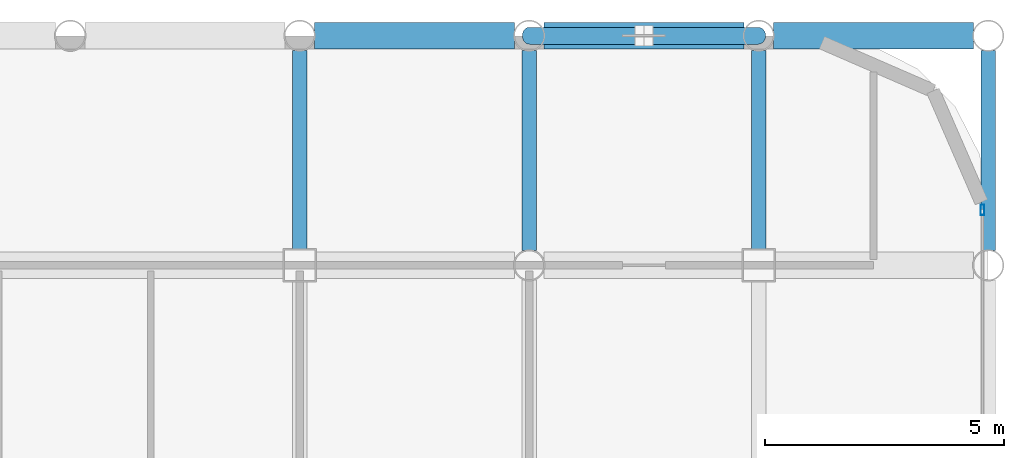
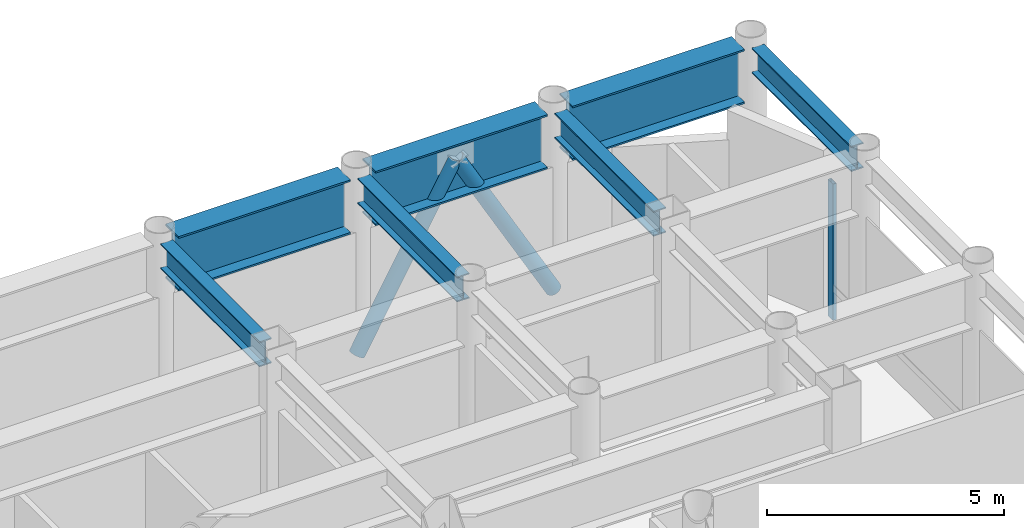
# One storey, part 14 of 20: 7 beams, 3 members, 1 element without a shape of its own.
"""IFC4 building model written with IfcOpenShell, lengths in metres."""

from ifc_helpers import new_model, si_unit, direction, frame, origin, origin_2d, place, context, subcontext, project, spatial, hollow_rectangle, hollow_circle, i_section, extrude, material, layer, layer_set, material_profile, profile_set, type_object, element, aggregate, save


model = new_model("IFC4")

# Units and contexts
model_context = context("Model", 3, precision=1e-05, world=origin(), true_north=direction((0.0, 1.0)))
body_context = subcontext(model_context, "Body", "Model", "MODEL_VIEW")
ifc_project = project(units=[si_unit("LENGTHUNIT", "METRE"), si_unit("AREAUNIT", "SQUARE_METRE"), si_unit("VOLUMEUNIT", "CUBIC_METRE"), si_unit("PLANEANGLEUNIT", "RADIAN"), si_unit("MASSUNIT", "GRAM", prefix="KILO")], contexts=[model_context])

# Site, building, storey
site_placement = place(None, origin())
site = spatial("IfcSite", under=ifc_project, at=site_placement, CompositionType="ELEMENT")
building_placement = place(site_placement, origin())
building = spatial("IfcBuilding", under=site, at=building_placement, Name="Kallvorn Hotel Tower", CompositionType="ELEMENT")
storey_placement = place(building_placement, frame((0.0, 0.0, 180.300048828125)))
storey = spatial("IfcBuildingStorey", under=building, at=storey_placement, Name="L45", CompositionType="ELEMENT", Elevation=180.300048828125)

# Beams
ifc_material_1 = material(Name="Structural steel S355JR", Category="steel")
ifc_material_profile_1 = material_profile(ifc_material_1, i_section(OverallWidth=0.300048828125, OverallDepth=0.64990234375, WebThickness=0.01611328125, FlangeThickness=0.031005859375, at=origin_2d()), Name="HE 650 B")
ifc_profile_set_1 = profile_set([ifc_material_profile_1], Name="Structural steel S355JR")
beam_type_1 = type_object("IfcBeamType", Name="BM_HE650B", PredefinedType="BEAM", material=ifc_profile_set_1)
beam_1_placement = place(storey_placement, frame((14.39990234375, 14.72509765625, 4.625), z_axis=(0.0, 1.0, 0.0), x_axis=(-1.0, 0.0, 0.0)))
element("IfcBeam", 1, at=beam_1_placement, inside=storey, type_object=beam_type_1, Name="L46 Primary Y-Girder 126", PredefinedType="BEAM", context=body_context, shape_type="SweptSolid", body=[
    extrude(i_section(OverallWidth=0.300048828125, OverallDepth=0.64990234375, WebThickness=0.01611328125, FlangeThickness=0.031005859375, at=origin_2d()), origin(), (0.0, 0.0, 1.0), 4.169921875),
])
beam_2_placement = place(storey_placement, frame((19.199951171875, 14.705078125, 4.625), z_axis=(0.0, 1.0, 0.0), x_axis=(-1.0, 0.0, 0.0)))
element("IfcBeam", 2, at=beam_2_placement, inside=storey, type_object=beam_type_1, Name="L46 Primary Y-Girder 135", PredefinedType="BEAM", context=body_context, shape_type="SweptSolid", body=[
    extrude(i_section(OverallWidth=0.300048828125, OverallDepth=0.64990234375, WebThickness=0.01611328125, FlangeThickness=0.031005859375, at=origin_2d()), origin(), (0.0, 0.0, 1.0), 4.18994140625),
])
beam_3_placement = place(storey_placement, frame((24.0, 14.72509765625, 4.625), z_axis=(0.0, 1.0, 0.0), x_axis=(-1.0, 0.0, 0.0)))
element("IfcBeam", 3, at=beam_3_placement, inside=storey, type_object=beam_type_1, Name="L46 Primary Y-Girder 142", PredefinedType="BEAM", context=body_context, shape_type="SweptSolid", body=[
    extrude(i_section(OverallWidth=0.300048828125, OverallDepth=0.64990234375, WebThickness=0.01611328125, FlangeThickness=0.031005859375, at=origin_2d()), origin(), (0.0, 0.0, 1.0), 4.169921875),
])
beam_4_placement = place(storey_placement, frame((28.800048828125, 14.705078125, 4.625), z_axis=(0.0, 1.0, 0.0), x_axis=(-1.0, 0.0, 0.0)))
element("IfcBeam", 4, at=beam_4_placement, inside=storey, type_object=beam_type_1, Name="L46 Primary Y-Girder 150", PredefinedType="BEAM", context=body_context, shape_type="SweptSolid", body=[
    extrude(i_section(OverallWidth=0.300048828125, OverallDepth=0.64990234375, WebThickness=0.01611328125, FlangeThickness=0.031005859375, at=origin_2d()), origin(), (0.0, 0.0, 1.0), 4.18994140625),
])
ifc_material_2 = material(Name="Structural steel S355JR", Category="steel")
ifc_material_profile_2 = material_profile(ifc_material_2, i_section(OverallWidth=0.550048828125, OverallDepth=1.39990234375, WebThickness=0.02490234375, FlangeThickness=0.044921875, at=origin_2d()), Name="PG 1400x550x25x45")
ifc_profile_set_2 = profile_set([ifc_material_profile_2], Name="Structural steel S355JR")
beam_type_2 = type_object("IfcBeamType", Name="BM_PG_1400", PredefinedType="BEAM", material=ifc_profile_set_2)
beam_5_placement = place(storey_placement, frame((14.705078125, 19.199951171875, 4.25), z_axis=(1.0, 0.0, 0.0), x_axis=(0.0, 1.0, 0.0)))
element("IfcBeam", 5, at=beam_5_placement, inside=storey, type_object=beam_type_2, Name="L46 Primary X-Girder 70", PredefinedType="BEAM", context=body_context, shape_type="SweptSolid", body=[
    extrude(i_section(OverallWidth=0.550048828125, OverallDepth=1.39990234375, WebThickness=0.02490234375, FlangeThickness=0.044921875, at=origin_2d()), origin(), (0.0, 0.0, 1.0), 4.18994140625),
])
for number, where, z_axis, x_axis, name in (
    (6, (19.5048828125, 19.199951171875, 4.25), (1.0, 0.0, 0.0), (0.0, 1.0, 0.0), "L46 Primary X-Girder 71"),
    (7, (24.304931640625, 19.199951171875, 4.25), (1.0, 0.0, 0.0), (0.0, 1.0, 0.0), "L46 Primary X-Girder 72"),
):
    element("IfcBeam", number, at=place(storey_placement, frame(where, z_axis=z_axis, x_axis=x_axis)), inside=storey, type_object=beam_type_2, Name=name, PredefinedType="BEAM", context=body_context, shape_type="SweptSolid", body=[
        extrude(i_section(OverallWidth=0.550048828125, OverallDepth=1.39990234375, WebThickness=0.02490234375, FlangeThickness=0.044921875, at=origin_2d()), origin(), (0.0, 0.0, 1.0), 4.190185546875),
    ])

# Curtain wall, member
ifc_material_3 = material(Name="Thermally broken black-anodised aluminium AA 6063-T6", Category="aluminium")
ifc_layer = layer(ifc_material_3, 0.22998046875)
ifc_layer_set = layer_set([ifc_layer], Name="CW_SYS_5_HOTEL_HIGH")
curtain_wall_type = type_object("IfcCurtainWallType", Name="CW_SYS_5_HOTEL_HIGH", PredefinedType="USERDEFINED", material=ifc_layer_set)
curtain_wall_placement = place(storey_placement, origin())
curtain_wall = element("IfcCurtainWall", 8, at=curtain_wall_placement, inside=storey, type_object=curtain_wall_type, Name="L45 Dark-Glass Curtain Wall CW-L45-EN", ObjectType="UNITISED CURTAIN WALL", PredefinedType="USERDEFINED")
ifc_material_4 = material(Name="Thermally broken black-anodised aluminium AA 6063-T6", Category="aluminium")
ifc_material_profile_3 = material_profile(ifc_material_4, hollow_rectangle(XDim=0.080078125, YDim=0.219970703125, WallThickness=0.0048828125, at=origin_2d()), Name="MUL 220x80")
ifc_profile_set_3 = profile_set([ifc_material_profile_3], Name="Thermally broken black-anodised aluminium AA 6063-T6")
member_type_1 = type_object("IfcMemberType", Name="CW_MULLION_220x80", PredefinedType="MULLION", material=ifc_profile_set_3)
member_placement = place(storey_placement, frame((28.679931640625, 15.56005859375, 0.02001953125), z_axis=(0.0, 0.0, 1.0), x_axis=(1.0, 0.0, 0.0)))
member = element("IfcMember", 9, at=member_placement, type_object=member_type_1, Name="CW-L45-EN Mullion 01", PredefinedType="MULLION", context=body_context, shape_type="SweptSolid", body=[
    extrude(hollow_rectangle(XDim=0.080078125, YDim=0.219970703125, WallThickness=0.0048828125, at=origin_2d()), origin(), (0.0, 0.0, 1.0), 3.510009765625),
])
aggregate(curtain_wall, [member])

# Members
ifc_material_5 = material(Name="Structural steel S355J2H", Category="steel")
ifc_material_profile_4 = material_profile(ifc_material_5, hollow_circle(Radius=0.177734375, WallThickness=0.01416015625, at=origin_2d()), Name="CHS 355.6x14.2")
ifc_profile_set_4 = profile_set([ifc_material_profile_4], Name="Structural steel S355J2H")
member_type_2 = type_object("IfcMemberType", Name="MBR_EXO_CHS355", PredefinedType="BRACE", material=ifc_profile_set_4)
for number, where, z_axis, x_axis, name in (
    (10, (19.209716796875, 19.199951171875, 0.197265625), (0.490827587651, 0.0, 0.871256724049), (0.0, 1.0, 0.0), "L45 Exoskeleton K-Brace N2A"),
    (11, (23.990234375, 19.199951171875, 0.197265625), (-0.490827587651, 0.0, 0.871256724049), (0.0, -1.0, 0.0), "L45 Exoskeleton K-Brace N2B"),
):
    element("IfcMember", number, at=place(storey_placement, frame(where, z_axis=z_axis, x_axis=x_axis)), inside=storey, type_object=member_type_2, Name=name, PredefinedType="BRACE", context=body_context, shape_type="SweptSolid", body=[
        extrude(hollow_circle(Radius=0.177734375, WallThickness=0.01416015625, at=origin_2d()), origin(), (0.0, 0.0, 1.0), 4.849609375),
    ])

save(model, "model.ifc")
